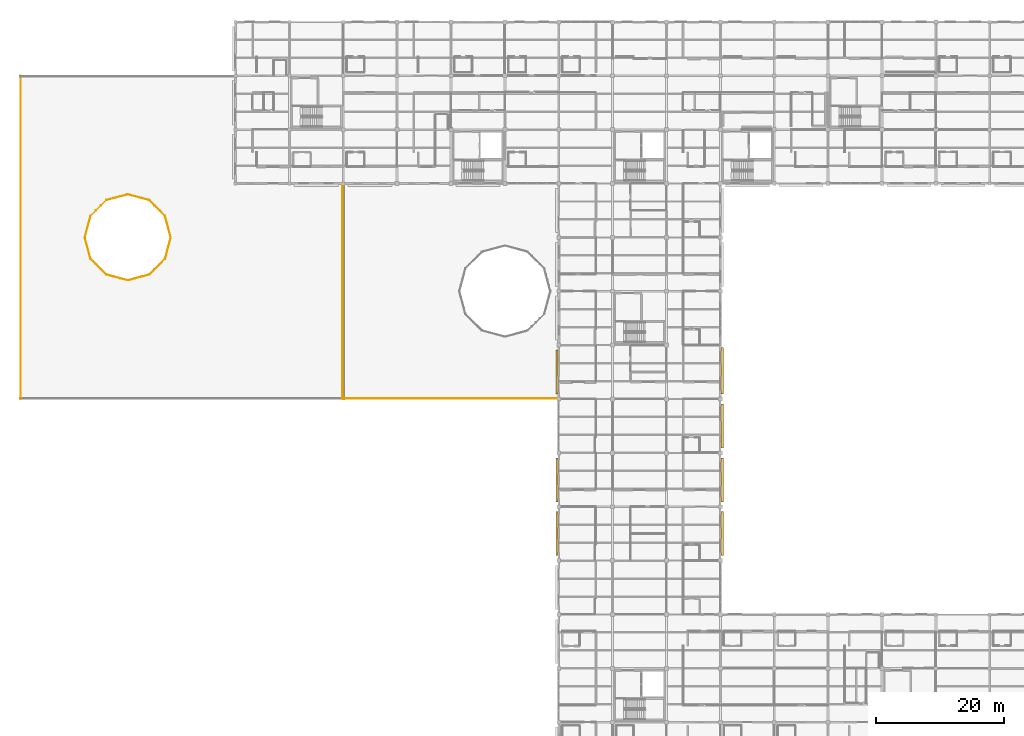
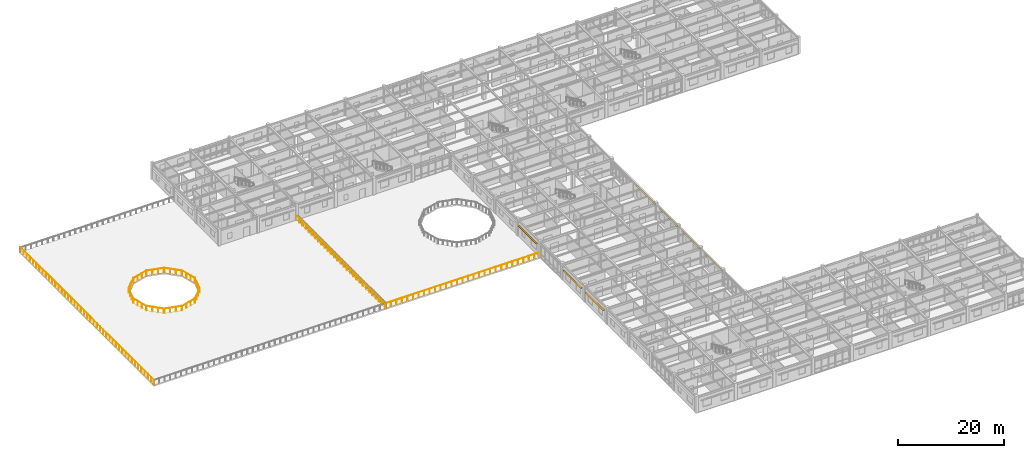
# One storey, part 75 of 86: 15 railings, 7 shading devices.
"""IFC4 building model written with IfcOpenShell, lengths in metres."""

from ifc_helpers import new_model, si_unit, direction, frame, origin, origin_2d, place, context, subcontext, project, spatial, rectangle, circle, extrude, material, material_profile, profile_set, type_object, element, save


model = new_model("IFC4")

# Units and contexts
model_context = context("Model", 3, precision=1e-05, world=origin(), true_north=direction((0.0, 1.0)))
body_context = subcontext(model_context, "Body", "Model", "MODEL_VIEW")
ifc_project = project(units=[si_unit("LENGTHUNIT", "METRE"), si_unit("AREAUNIT", "SQUARE_METRE"), si_unit("VOLUMEUNIT", "CUBIC_METRE"), si_unit("PLANEANGLEUNIT", "RADIAN"), si_unit("MASSUNIT", "GRAM", prefix="KILO")], contexts=[model_context])

# Site, building, storey
site_placement = place(None, origin())
site = spatial("IfcSite", under=ifc_project, at=site_placement, CompositionType="ELEMENT")
building_placement = place(site_placement, origin())
building = spatial("IfcBuilding", under=site, at=building_placement, Name="Bramfleet General Hospital", CompositionType="ELEMENT")
storey_placement = place(building_placement, frame((0.0, 0.0, 18.60009765625)))
storey = spatial("IfcBuildingStorey", under=building, at=storey_placement, Name="L04", CompositionType="ELEMENT", Elevation=18.60009765625)

# Railings
ifc_material_1 = material(Name="Stainless steel 1.4401 safety balustrade", Category="steel")
railing_type = type_object("IfcRailingType", Name="RAIL-EXT-GUARD", PredefinedType="GUARDRAIL", material=ifc_material_1)
railing_1_placement = place(storey_placement, frame((8.5, 58.81005859375, 0.0)))
element("IfcRailing", 1, at=railing_1_placement, inside=storey, type_object=railing_type, Name="L04 Safety Guard Rail 153", PredefinedType="GUARDRAIL", context=body_context, shape_type="SweptSolid", body=[
    extrude(circle(Radius=0.02392578125, at=origin_2d()), frame((0.0, 0.0, 1.076171875), z_axis=(0.0, 1.0, 0.0), x_axis=(-1.0, 0.0, 0.0)), (0.0, 0.0, 1.0), 50.3798828125),
    extrude(circle(Radius=0.02099609375, at=origin_2d()), origin(), (0.0, 0.0, 1.0), 1.052001953125),
    extrude(circle(Radius=0.02099609375, at=origin_2d()), frame((0.0, 1.199462890625, 0.0)), (0.0, 0.0, 1.0), 1.052001953125),
    extrude(circle(Radius=0.02099609375, at=origin_2d()), frame((0.0, 2.39892578125, 0.0)), (0.0, 0.0, 1.0), 1.052001953125),
    extrude(circle(Radius=0.02099609375, at=origin_2d()), frame((0.0, 3.5986328125, 0.0)), (0.0, 0.0, 1.0), 1.052001953125),
    extrude(circle(Radius=0.02099609375, at=origin_2d()), frame((0.0, 4.798095703125, 0.0)), (0.0, 0.0, 1.0), 1.052001953125),
    extrude(circle(Radius=0.02099609375, at=origin_2d()), frame((0.0, 5.99755859375, 0.0)), (0.0, 0.0, 1.0), 1.052001953125),
    extrude(circle(Radius=0.02099609375, at=origin_2d()), frame((0.0, 7.197021484375, 0.0)), (0.0, 0.0, 1.0), 1.052001953125),
    extrude(circle(Radius=0.02099609375, at=origin_2d()), frame((0.0, 8.396728515625, 0.0)), (0.0, 0.0, 1.0), 1.052001953125),
    extrude(circle(Radius=0.02099609375, at=origin_2d()), frame((0.0, 9.59619140625, 0.0)), (0.0, 0.0, 1.0), 1.052001953125),
    extrude(circle(Radius=0.02099609375, at=origin_2d()), frame((0.0, 10.795654296875, 0.0)), (0.0, 0.0, 1.0), 1.052001953125),
    extrude(circle(Radius=0.02099609375, at=origin_2d()), frame((0.0, 11.9951171875, 0.0)), (0.0, 0.0, 1.0), 1.052001953125),
    extrude(circle(Radius=0.02099609375, at=origin_2d()), frame((0.0, 13.19482421875, 0.0)), (0.0, 0.0, 1.0), 1.052001953125),
    extrude(circle(Radius=0.02099609375, at=origin_2d()), frame((0.0, 14.394287109375, 0.0)), (0.0, 0.0, 1.0), 1.052001953125),
    extrude(circle(Radius=0.02099609375, at=origin_2d()), frame((0.0, 15.59375, 0.0)), (0.0, 0.0, 1.0), 1.052001953125),
    extrude(circle(Radius=0.02099609375, at=origin_2d()), frame((0.0, 16.793212890625, 0.0)), (0.0, 0.0, 1.0), 1.052001953125),
    extrude(circle(Radius=0.02099609375, at=origin_2d()), frame((0.0, 17.992919921875, 0.0)), (0.0, 0.0, 1.0), 1.052001953125),
    extrude(circle(Radius=0.02099609375, at=origin_2d()), frame((0.0, 19.1923828125, 0.0)), (0.0, 0.0, 1.0), 1.052001953125),
    extrude(circle(Radius=0.02099609375, at=origin_2d()), frame((0.0, 20.391845703125, 0.0)), (0.0, 0.0, 1.0), 1.052001953125),
    extrude(circle(Radius=0.02099609375, at=origin_2d()), frame((0.0, 21.59130859375, 0.0)), (0.0, 0.0, 1.0), 1.052001953125),
    extrude(circle(Radius=0.02099609375, at=origin_2d()), frame((0.0, 22.791015625, 0.0)), (0.0, 0.0, 1.0), 1.052001953125),
    extrude(circle(Radius=0.02099609375, at=origin_2d()), frame((0.0, 23.990478515625, 0.0)), (0.0, 0.0, 1.0), 1.052001953125),
    extrude(circle(Radius=0.02099609375, at=origin_2d()), frame((0.0, 25.18994140625, 0.0)), (0.0, 0.0, 1.0), 1.052001953125),
    extrude(circle(Radius=0.02099609375, at=origin_2d()), frame((0.0, 26.389404296875, 0.0)), (0.0, 0.0, 1.0), 1.052001953125),
    extrude(circle(Radius=0.02099609375, at=origin_2d()), frame((0.0, 27.5888671875, 0.0)), (0.0, 0.0, 1.0), 1.052001953125),
    extrude(circle(Radius=0.02099609375, at=origin_2d()), frame((0.0, 28.78857421875, 0.0)), (0.0, 0.0, 1.0), 1.052001953125),
    extrude(circle(Radius=0.02099609375, at=origin_2d()), frame((0.0, 29.988037109375, 0.0)), (0.0, 0.0, 1.0), 1.052001953125),
    extrude(circle(Radius=0.02099609375, at=origin_2d()), frame((0.0, 31.1875, 0.0)), (0.0, 0.0, 1.0), 1.052001953125),
    extrude(circle(Radius=0.02099609375, at=origin_2d()), frame((0.0, 32.386962890625, 0.0)), (0.0, 0.0, 1.0), 1.052001953125),
    extrude(circle(Radius=0.02099609375, at=origin_2d()), frame((0.0, 33.586669921875, 0.0)), (0.0, 0.0, 1.0), 1.052001953125),
    extrude(circle(Radius=0.02099609375, at=origin_2d()), frame((0.0, 34.7861328125, 0.0)), (0.0, 0.0, 1.0), 1.052001953125),
    extrude(circle(Radius=0.02099609375, at=origin_2d()), frame((0.0, 35.985595703125, 0.0)), (0.0, 0.0, 1.0), 1.052001953125),
    extrude(circle(Radius=0.02099609375, at=origin_2d()), frame((0.0, 37.18505859375, 0.0)), (0.0, 0.0, 1.0), 1.052001953125),
    extrude(circle(Radius=0.02099609375, at=origin_2d()), frame((0.0, 38.384765625, 0.0)), (0.0, 0.0, 1.0), 1.052001953125),
    extrude(circle(Radius=0.02099609375, at=origin_2d()), frame((0.0, 39.584228515625, 0.0)), (0.0, 0.0, 1.0), 1.052001953125),
    extrude(circle(Radius=0.02099609375, at=origin_2d()), frame((0.0, 40.78369140625, 0.0)), (0.0, 0.0, 1.0), 1.052001953125),
    extrude(circle(Radius=0.02099609375, at=origin_2d()), frame((0.0, 41.983154296875, 0.0)), (0.0, 0.0, 1.0), 1.052001953125),
    extrude(circle(Radius=0.02099609375, at=origin_2d()), frame((0.0, 43.182861328125, 0.0)), (0.0, 0.0, 1.0), 1.052001953125),
    extrude(circle(Radius=0.02099609375, at=origin_2d()), frame((0.0, 44.38232421875, 0.0)), (0.0, 0.0, 1.0), 1.052001953125),
    extrude(circle(Radius=0.02099609375, at=origin_2d()), frame((0.0, 45.581787109375, 0.0)), (0.0, 0.0, 1.0), 1.052001953125),
    extrude(circle(Radius=0.02099609375, at=origin_2d()), frame((0.0, 46.78125, 0.0)), (0.0, 0.0, 1.0), 1.052001953125),
    extrude(circle(Radius=0.02099609375, at=origin_2d()), frame((0.0, 47.98095703125, 0.0)), (0.0, 0.0, 1.0), 1.052001953125),
    extrude(circle(Radius=0.02099609375, at=origin_2d()), frame((0.0, 49.180419921875, 0.0)), (0.0, 0.0, 1.0), 1.052001953125),
    extrude(circle(Radius=0.02099609375, at=origin_2d()), frame((0.0, 50.3798828125, 0.0)), (0.0, 0.0, 1.0), 1.052001953125),
])
railing_2_placement = place(storey_placement, frame((58.699951171875, 92.389892578125, 0.0)))
element("IfcRailing", 2, at=railing_2_placement, inside=storey, type_object=railing_type, Name="L04 Safety Guard Rail 155", PredefinedType="GUARDRAIL", context=body_context, shape_type="SweptSolid", body=[
    extrude(circle(Radius=0.02392578125, at=origin_2d()), frame((0.0, 0.0, 1.076171875), z_axis=(0.0, -1.0, 0.0), x_axis=(1.0, 0.0, 0.0)), (0.0, 0.0, 1.0), 33.579833984375),
    extrude(circle(Radius=0.02099609375, at=origin_2d()), origin(), (0.0, 0.0, 1.0), 1.052001953125),
    extrude(circle(Radius=0.02099609375, at=origin_2d()), frame((0.0, -1.19921875, 0.0)), (0.0, 0.0, 1.0), 1.052001953125),
    extrude(circle(Radius=0.02099609375, at=origin_2d()), frame((0.0, -2.3984375, 0.0)), (0.0, 0.0, 1.0), 1.052001953125),
    extrude(circle(Radius=0.02099609375, at=origin_2d()), frame((0.0, -3.597900390625, 0.0)), (0.0, 0.0, 1.0), 1.052001953125),
    extrude(circle(Radius=0.02099609375, at=origin_2d()), frame((0.0, -4.797119140625, 0.0)), (0.0, 0.0, 1.0), 1.052001953125),
    extrude(circle(Radius=0.02099609375, at=origin_2d()), frame((0.0, -5.996337890625, 0.0)), (0.0, 0.0, 1.0), 1.052001953125),
    extrude(circle(Radius=0.02099609375, at=origin_2d()), frame((0.0, -7.19580078125, 0.0)), (0.0, 0.0, 1.0), 1.052001953125),
    extrude(circle(Radius=0.02099609375, at=origin_2d()), frame((0.0, -8.39501953125, 0.0)), (0.0, 0.0, 1.0), 1.052001953125),
    extrude(circle(Radius=0.02099609375, at=origin_2d()), frame((0.0, -9.59423828125, 0.0)), (0.0, 0.0, 1.0), 1.052001953125),
    extrude(circle(Radius=0.02099609375, at=origin_2d()), frame((0.0, -10.79345703125, 0.0)), (0.0, 0.0, 1.0), 1.052001953125),
    extrude(circle(Radius=0.02099609375, at=origin_2d()), frame((0.0, -11.99267578125, 0.0)), (0.0, 0.0, 1.0), 1.052001953125),
    extrude(circle(Radius=0.02099609375, at=origin_2d()), frame((0.0, -13.192138671875, 0.0)), (0.0, 0.0, 1.0), 1.052001953125),
    extrude(circle(Radius=0.02099609375, at=origin_2d()), frame((0.0, -14.391357421875, 0.0)), (0.0, 0.0, 1.0), 1.052001953125),
    extrude(circle(Radius=0.02099609375, at=origin_2d()), frame((0.0, -15.590576171875, 0.0)), (0.0, 0.0, 1.0), 1.052001953125),
    extrude(circle(Radius=0.02099609375, at=origin_2d()), frame((0.0, -16.7900390625, 0.0)), (0.0, 0.0, 1.0), 1.052001953125),
    extrude(circle(Radius=0.02099609375, at=origin_2d()), frame((0.0, -17.9892578125, 0.0)), (0.0, 0.0, 1.0), 1.052001953125),
    extrude(circle(Radius=0.02099609375, at=origin_2d()), frame((0.0, -19.1884765625, 0.0)), (0.0, 0.0, 1.0), 1.052001953125),
    extrude(circle(Radius=0.02099609375, at=origin_2d()), frame((0.0, -20.3876953125, 0.0)), (0.0, 0.0, 1.0), 1.052001953125),
    extrude(circle(Radius=0.02099609375, at=origin_2d()), frame((0.0, -21.5869140625, 0.0)), (0.0, 0.0, 1.0), 1.052001953125),
    extrude(circle(Radius=0.02099609375, at=origin_2d()), frame((0.0, -22.786376953125, 0.0)), (0.0, 0.0, 1.0), 1.052001953125),
    extrude(circle(Radius=0.02099609375, at=origin_2d()), frame((0.0, -23.985595703125, 0.0)), (0.0, 0.0, 1.0), 1.052001953125),
    extrude(circle(Radius=0.02099609375, at=origin_2d()), frame((0.0, -25.184814453125, 0.0)), (0.0, 0.0, 1.0), 1.052001953125),
    extrude(circle(Radius=0.02099609375, at=origin_2d()), frame((0.0, -26.38427734375, 0.0)), (0.0, 0.0, 1.0), 1.052001953125),
    extrude(circle(Radius=0.02099609375, at=origin_2d()), frame((0.0, -27.58349609375, 0.0)), (0.0, 0.0, 1.0), 1.052001953125),
    extrude(circle(Radius=0.02099609375, at=origin_2d()), frame((0.0, -28.78271484375, 0.0)), (0.0, 0.0, 1.0), 1.052001953125),
    extrude(circle(Radius=0.02099609375, at=origin_2d()), frame((0.0, -29.98193359375, 0.0)), (0.0, 0.0, 1.0), 1.052001953125),
    extrude(circle(Radius=0.02099609375, at=origin_2d()), frame((0.0, -31.18115234375, 0.0)), (0.0, 0.0, 1.0), 1.052001953125),
    extrude(circle(Radius=0.02099609375, at=origin_2d()), frame((0.0, -32.380615234375, 0.0)), (0.0, 0.0, 1.0), 1.052001953125),
    extrude(circle(Radius=0.02099609375, at=origin_2d()), frame((0.0, -33.579833984375, 0.0)), (0.0, 0.0, 1.0), 1.052001953125),
])
railing_3_placement = place(storey_placement, frame((19.420654296875, 80.622314453125, 0.0)))
element("IfcRailing", 3, at=railing_3_placement, inside=storey, type_object=railing_type, Name="L04 Safety Guard Rail 157", PredefinedType="GUARDRAIL", context=body_context, shape_type="SweptSolid", body=[
    extrude(circle(Radius=0.02392578125, at=origin_2d()), frame((0.0, 0.0, 1.076171875), z_axis=(0.707106781187, -0.707106781187, 0.0), x_axis=(0.707106781187, 0.707106781187, 0.0)), (0.0, 0.0, 1.0), 3.396484375),
    extrude(circle(Radius=0.02099609375, at=origin_2d()), origin(), (0.0, 0.0, 1.0), 1.052001953125),
    extrude(circle(Radius=0.02099609375, at=origin_2d()), frame((0.800537109375, -0.800537109375, 0.0)), (0.0, 0.0, 1.0), 1.052001953125),
    extrude(circle(Radius=0.02099609375, at=origin_2d()), frame((1.60107421875, -1.60107421875, 0.0)), (0.0, 0.0, 1.0), 1.052001953125),
    extrude(circle(Radius=0.02099609375, at=origin_2d()), frame((2.401611328125, -2.401611328125, 0.0)), (0.0, 0.0, 1.0), 1.052001953125),
])
railing_4_placement = place(storey_placement, frame((21.8837890625, 78.18505859375, 0.0)))
element("IfcRailing", 4, at=railing_4_placement, inside=storey, type_object=railing_type, Name="L04 Safety Guard Rail 158", PredefinedType="GUARDRAIL", context=body_context, shape_type="SweptSolid", body=[
    extrude(circle(Radius=0.02392578125, at=origin_2d()), frame((0.0, 0.0, 1.076171875), z_axis=(0.965920457522, -0.258839080781, 0.0), x_axis=(0.258839080781, 0.965920457522, 0.0)), (0.0, 0.0, 1.0), 3.396484375),
    extrude(circle(Radius=0.02099609375, at=origin_2d()), origin(), (0.0, 0.0, 1.0), 1.052001953125),
    extrude(circle(Radius=0.02099609375, at=origin_2d()), frame((1.093505859375, -0.29296875, 0.0)), (0.0, 0.0, 1.0), 1.052001953125),
    extrude(circle(Radius=0.02099609375, at=origin_2d()), frame((2.187255859375, -0.586181640625, 0.0)), (0.0, 0.0, 1.0), 1.052001953125),
    extrude(circle(Radius=0.02099609375, at=origin_2d()), frame((3.28076171875, -0.879150390625, 0.0)), (0.0, 0.0, 1.0), 1.052001953125),
])
railing_5_placement = place(storey_placement, frame((25.235595703125, 77.305908203125, 0.0)))
element("IfcRailing", 5, at=railing_5_placement, inside=storey, type_object=railing_type, Name="L04 Safety Guard Rail 159", PredefinedType="GUARDRAIL", context=body_context, shape_type="SweptSolid", body=[
    extrude(circle(Radius=0.02392578125, at=origin_2d()), frame((0.0, 0.0, 1.076171875), z_axis=(0.965915641243, 0.25885705322, 0.0), x_axis=(-0.25885705322, 0.965915641243, 0.0)), (0.0, 0.0, 1.0), 3.396240234375),
    extrude(circle(Radius=0.02099609375, at=origin_2d()), origin(), (0.0, 0.0, 1.0), 1.052001953125),
    extrude(circle(Radius=0.02099609375, at=origin_2d()), frame((1.093505859375, 0.29296875, 0.0)), (0.0, 0.0, 1.0), 1.052001953125),
    extrude(circle(Radius=0.02099609375, at=origin_2d()), frame((2.18701171875, 0.586181640625, 0.0)), (0.0, 0.0, 1.0), 1.052001953125),
    extrude(circle(Radius=0.02099609375, at=origin_2d()), frame((3.280517578125, 0.879150390625, 0.0)), (0.0, 0.0, 1.0), 1.052001953125),
])
railing_6_placement = place(storey_placement, frame((28.577880859375, 78.220703125, 0.0)))
element("IfcRailing", 6, at=railing_6_placement, inside=storey, type_object=railing_type, Name="L04 Safety Guard Rail 160", PredefinedType="GUARDRAIL", context=body_context, shape_type="SweptSolid", body=[
    extrude(circle(Radius=0.02392578125, at=origin_2d()), frame((0.0, 0.0, 1.076171875), z_axis=(0.707106781187, 0.707106781187, 0.0), x_axis=(-0.707106781187, 0.707106781187, 0.0)), (0.0, 0.0, 1.0), 3.396484375),
    extrude(circle(Radius=0.02099609375, at=origin_2d()), origin(), (0.0, 0.0, 1.0), 1.052001953125),
    extrude(circle(Radius=0.02099609375, at=origin_2d()), frame((0.800537109375, 0.800537109375, 0.0)), (0.0, 0.0, 1.0), 1.052001953125),
    extrude(circle(Radius=0.02099609375, at=origin_2d()), frame((1.60107421875, 1.60107421875, 0.0)), (0.0, 0.0, 1.0), 1.052001953125),
    extrude(circle(Radius=0.02099609375, at=origin_2d()), frame((2.401611328125, 2.401611328125, 0.0)), (0.0, 0.0, 1.0), 1.052001953125),
])
railing_7_placement = place(storey_placement, frame((31.014892578125, 80.683837890625, 0.0)))
element("IfcRailing", 7, at=railing_7_placement, inside=storey, type_object=railing_type, Name="L04 Safety Guard Rail 161", PredefinedType="GUARDRAIL", context=body_context, shape_type="SweptSolid", body=[
    extrude(circle(Radius=0.02392578125, at=origin_2d()), frame((0.0, 0.0, 1.076171875), z_axis=(0.258839080781, 0.965920457522, 0.0), x_axis=(-0.965920457522, 0.258839080781, 0.0)), (0.0, 0.0, 1.0), 3.396484375),
    extrude(circle(Radius=0.02099609375, at=origin_2d()), origin(), (0.0, 0.0, 1.0), 1.052001953125),
    extrude(circle(Radius=0.02099609375, at=origin_2d()), frame((0.29296875, 1.093505859375, 0.0)), (0.0, 0.0, 1.0), 1.052001953125),
    extrude(circle(Radius=0.02099609375, at=origin_2d()), frame((0.586181640625, 2.187255859375, 0.0)), (0.0, 0.0, 1.0), 1.052001953125),
    extrude(circle(Radius=0.02099609375, at=origin_2d()), frame((0.879150390625, 3.28076171875, 0.0)), (0.0, 0.0, 1.0), 1.052001953125),
])
railing_8_placement = place(storey_placement, frame((31.89404296875, 84.035400390625, 0.0)))
element("IfcRailing", 8, at=railing_8_placement, inside=storey, type_object=railing_type, Name="L04 Safety Guard Rail 162", PredefinedType="GUARDRAIL", context=body_context, shape_type="SweptSolid", body=[
    extrude(circle(Radius=0.02392578125, at=origin_2d()), frame((0.0, 0.0, 1.076171875), z_axis=(-0.258839080781, 0.965920457522, 0.0), x_axis=(-0.965920457522, -0.258839080781, 0.0)), (0.0, 0.0, 1.0), 3.396484375),
    extrude(circle(Radius=0.02099609375, at=origin_2d()), origin(), (0.0, 0.0, 1.0), 1.052001953125),
    extrude(circle(Radius=0.02099609375, at=origin_2d()), frame((-0.29296875, 1.093505859375, 0.0)), (0.0, 0.0, 1.0), 1.052001953125),
    extrude(circle(Radius=0.02099609375, at=origin_2d()), frame((-0.586181640625, 2.187255859375, 0.0)), (0.0, 0.0, 1.0), 1.052001953125),
    extrude(circle(Radius=0.02099609375, at=origin_2d()), frame((-0.879150390625, 3.28076171875, 0.0)), (0.0, 0.0, 1.0), 1.052001953125),
])
railing_9_placement = place(storey_placement, frame((30.9794921875, 87.377685546875, 0.0)))
element("IfcRailing", 9, at=railing_9_placement, inside=storey, type_object=railing_type, Name="L04 Safety Guard Rail 163", PredefinedType="GUARDRAIL", context=body_context, shape_type="SweptSolid", body=[
    extrude(circle(Radius=0.02392578125, at=origin_2d()), frame((0.0, 0.0, 1.076171875), z_axis=(-0.707106781187, 0.707106781187, 0.0), x_axis=(-0.707106781187, -0.707106781187, 0.0)), (0.0, 0.0, 1.0), 3.396484375),
    extrude(circle(Radius=0.02099609375, at=origin_2d()), origin(), (0.0, 0.0, 1.0), 1.052001953125),
    extrude(circle(Radius=0.02099609375, at=origin_2d()), frame((-0.800537109375, 0.800537109375, 0.0)), (0.0, 0.0, 1.0), 1.052001953125),
    extrude(circle(Radius=0.02099609375, at=origin_2d()), frame((-1.60107421875, 1.60107421875, 0.0)), (0.0, 0.0, 1.0), 1.052001953125),
    extrude(circle(Radius=0.02099609375, at=origin_2d()), frame((-2.401611328125, 2.401611328125, 0.0)), (0.0, 0.0, 1.0), 1.052001953125),
])
railing_10_placement = place(storey_placement, frame((28.51611328125, 89.81494140625, 0.0)))
element("IfcRailing", 10, at=railing_10_placement, inside=storey, type_object=railing_type, Name="L04 Safety Guard Rail 164", PredefinedType="GUARDRAIL", context=body_context, shape_type="SweptSolid", body=[
    extrude(circle(Radius=0.02392578125, at=origin_2d()), frame((0.0, 0.0, 1.076171875), z_axis=(-0.965915641243, 0.25885705322, 0.0), x_axis=(-0.25885705322, -0.965915641243, 0.0)), (0.0, 0.0, 1.0), 3.396240234375),
    extrude(circle(Radius=0.02099609375, at=origin_2d()), origin(), (0.0, 0.0, 1.0), 1.052001953125),
    extrude(circle(Radius=0.02099609375, at=origin_2d()), frame((-1.093505859375, 0.29296875, 0.0)), (0.0, 0.0, 1.0), 1.052001953125),
    extrude(circle(Radius=0.02099609375, at=origin_2d()), frame((-2.18701171875, 0.586181640625, 0.0)), (0.0, 0.0, 1.0), 1.052001953125),
    extrude(circle(Radius=0.02099609375, at=origin_2d()), frame((-3.280517578125, 0.879150390625, 0.0)), (0.0, 0.0, 1.0), 1.052001953125),
])
railing_11_placement = place(storey_placement, frame((25.16455078125, 90.694091796875, 0.0)))
element("IfcRailing", 11, at=railing_11_placement, inside=storey, type_object=railing_type, Name="L04 Safety Guard Rail 165", PredefinedType="GUARDRAIL", context=body_context, shape_type="SweptSolid", body=[
    extrude(circle(Radius=0.02392578125, at=origin_2d()), frame((0.0, 0.0, 1.076171875), z_axis=(-0.965920457522, -0.258839080781, 0.0), x_axis=(0.258839080781, -0.965920457522, 0.0)), (0.0, 0.0, 1.0), 3.396484375),
    extrude(circle(Radius=0.02099609375, at=origin_2d()), origin(), (0.0, 0.0, 1.0), 1.052001953125),
    extrude(circle(Radius=0.02099609375, at=origin_2d()), frame((-1.093505859375, -0.29296875, 0.0)), (0.0, 0.0, 1.0), 1.052001953125),
    extrude(circle(Radius=0.02099609375, at=origin_2d()), frame((-2.187255859375, -0.586181640625, 0.0)), (0.0, 0.0, 1.0), 1.052001953125),
    extrude(circle(Radius=0.02099609375, at=origin_2d()), frame((-3.28076171875, -0.879150390625, 0.0)), (0.0, 0.0, 1.0), 1.052001953125),
])
railing_12_placement = place(storey_placement, frame((21.822265625, 89.779296875, 0.0)))
element("IfcRailing", 12, at=railing_12_placement, inside=storey, type_object=railing_type, Name="L04 Safety Guard Rail 166", PredefinedType="GUARDRAIL", context=body_context, shape_type="SweptSolid", body=[
    extrude(circle(Radius=0.02392578125, at=origin_2d()), frame((0.0, 0.0, 1.076171875), z_axis=(-0.707106781187, -0.707106781187, 0.0), x_axis=(0.707106781187, -0.707106781187, 0.0)), (0.0, 0.0, 1.0), 3.396484375),
    extrude(circle(Radius=0.02099609375, at=origin_2d()), origin(), (0.0, 0.0, 1.0), 1.052001953125),
    extrude(circle(Radius=0.02099609375, at=origin_2d()), frame((-0.800537109375, -0.800537109375, 0.0)), (0.0, 0.0, 1.0), 1.052001953125),
    extrude(circle(Radius=0.02099609375, at=origin_2d()), frame((-1.60107421875, -1.60107421875, 0.0)), (0.0, 0.0, 1.0), 1.052001953125),
    extrude(circle(Radius=0.02099609375, at=origin_2d()), frame((-2.401611328125, -2.401611328125, 0.0)), (0.0, 0.0, 1.0), 1.052001953125),
])
railing_13_placement = place(storey_placement, frame((19.385009765625, 87.316162109375, 0.0)))
element("IfcRailing", 13, at=railing_13_placement, inside=storey, type_object=railing_type, Name="L04 Safety Guard Rail 167", PredefinedType="GUARDRAIL", context=body_context, shape_type="SweptSolid", body=[
    extrude(circle(Radius=0.02392578125, at=origin_2d()), frame((0.0, 0.0, 1.076171875), z_axis=(-0.258772014909, -0.965938426764, 0.0), x_axis=(0.965938426764, -0.258772014909, 0.0)), (0.0, 0.0, 1.0), 3.396484375),
    extrude(circle(Radius=0.02099609375, at=origin_2d()), origin(), (0.0, 0.0, 1.0), 1.052001953125),
    extrude(circle(Radius=0.02099609375, at=origin_2d()), frame((-0.29296875, -1.093505859375, 0.0)), (0.0, 0.0, 1.0), 1.052001953125),
    extrude(circle(Radius=0.02099609375, at=origin_2d()), frame((-0.5859375, -2.187255859375, 0.0)), (0.0, 0.0, 1.0), 1.052001953125),
    extrude(circle(Radius=0.02099609375, at=origin_2d()), frame((-0.87890625, -3.28076171875, 0.0)), (0.0, 0.0, 1.0), 1.052001953125),
])
railing_14_placement = place(storey_placement, frame((18.506103515625, 83.964599609375, 0.0)))
element("IfcRailing", 14, at=railing_14_placement, inside=storey, type_object=railing_type, Name="L04 Safety Guard Rail 168", PredefinedType="GUARDRAIL", context=body_context, shape_type="SweptSolid", body=[
    extrude(circle(Radius=0.02392578125, at=origin_2d()), frame((0.0, 0.0, 1.076171875), z_axis=(0.258772014909, -0.965938426764, 0.0), x_axis=(0.965938426764, 0.258772014909, 0.0)), (0.0, 0.0, 1.0), 3.396484375),
    extrude(circle(Radius=0.02099609375, at=origin_2d()), origin(), (0.0, 0.0, 1.0), 1.052001953125),
    extrude(circle(Radius=0.02099609375, at=origin_2d()), frame((0.29296875, -1.093505859375, 0.0)), (0.0, 0.0, 1.0), 1.052001953125),
    extrude(circle(Radius=0.02099609375, at=origin_2d()), frame((0.5859375, -2.187255859375, 0.0)), (0.0, 0.0, 1.0), 1.052001953125),
    extrude(circle(Radius=0.02099609375, at=origin_2d()), frame((0.87890625, -3.28076171875, 0.0)), (0.0, 0.0, 1.0), 1.052001953125),
])
railing_15_placement = place(storey_placement, frame((92.389892578125, 58.89990234375, 0.0)))
element("IfcRailing", 15, at=railing_15_placement, inside=storey, type_object=railing_type, Name="L04 Safety Guard Rail 170", PredefinedType="GUARDRAIL", context=body_context, shape_type="SweptSolid", body=[
    extrude(circle(Radius=0.02392578125, at=origin_2d()), frame((0.0, 0.0, 1.076171875), z_axis=(-1.0, 0.0, 0.0), x_axis=(0.0, -1.0, 0.0)), (0.0, 0.0, 1.0), 33.579833984375),
    extrude(circle(Radius=0.02099609375, at=origin_2d()), origin(), (0.0, 0.0, 1.0), 1.052001953125),
    extrude(circle(Radius=0.02099609375, at=origin_2d()), frame((-1.19921875, 0.0, 0.0)), (0.0, 0.0, 1.0), 1.052001953125),
    extrude(circle(Radius=0.02099609375, at=origin_2d()), frame((-2.3984375, 0.0, 0.0)), (0.0, 0.0, 1.0), 1.052001953125),
    extrude(circle(Radius=0.02099609375, at=origin_2d()), frame((-3.597900390625, 0.0, 0.0)), (0.0, 0.0, 1.0), 1.052001953125),
    extrude(circle(Radius=0.02099609375, at=origin_2d()), frame((-4.797119140625, 0.0, 0.0)), (0.0, 0.0, 1.0), 1.052001953125),
    extrude(circle(Radius=0.02099609375, at=origin_2d()), frame((-5.996337890625, 0.0, 0.0)), (0.0, 0.0, 1.0), 1.052001953125),
    extrude(circle(Radius=0.02099609375, at=origin_2d()), frame((-7.19580078125, 0.0, 0.0)), (0.0, 0.0, 1.0), 1.052001953125),
    extrude(circle(Radius=0.02099609375, at=origin_2d()), frame((-8.39501953125, 0.0, 0.0)), (0.0, 0.0, 1.0), 1.052001953125),
    extrude(circle(Radius=0.02099609375, at=origin_2d()), frame((-9.59423828125, 0.0, 0.0)), (0.0, 0.0, 1.0), 1.052001953125),
    extrude(circle(Radius=0.02099609375, at=origin_2d()), frame((-10.79345703125, 0.0, 0.0)), (0.0, 0.0, 1.0), 1.052001953125),
    extrude(circle(Radius=0.02099609375, at=origin_2d()), frame((-11.99267578125, 0.0, 0.0)), (0.0, 0.0, 1.0), 1.052001953125),
    extrude(circle(Radius=0.02099609375, at=origin_2d()), frame((-13.192138671875, 0.0, 0.0)), (0.0, 0.0, 1.0), 1.052001953125),
    extrude(circle(Radius=0.02099609375, at=origin_2d()), frame((-14.391357421875, 0.0, 0.0)), (0.0, 0.0, 1.0), 1.052001953125),
    extrude(circle(Radius=0.02099609375, at=origin_2d()), frame((-15.590576171875, 0.0, 0.0)), (0.0, 0.0, 1.0), 1.052001953125),
    extrude(circle(Radius=0.02099609375, at=origin_2d()), frame((-16.7900390625, 0.0, 0.0)), (0.0, 0.0, 1.0), 1.052001953125),
    extrude(circle(Radius=0.02099609375, at=origin_2d()), frame((-17.9892578125, 0.0, 0.0)), (0.0, 0.0, 1.0), 1.052001953125),
    extrude(circle(Radius=0.02099609375, at=origin_2d()), frame((-19.1884765625, 0.0, 0.0)), (0.0, 0.0, 1.0), 1.052001953125),
    extrude(circle(Radius=0.02099609375, at=origin_2d()), frame((-20.3876953125, 0.0, 0.0)), (0.0, 0.0, 1.0), 1.052001953125),
    extrude(circle(Radius=0.02099609375, at=origin_2d()), frame((-21.5869140625, 0.0, 0.0)), (0.0, 0.0, 1.0), 1.052001953125),
    extrude(circle(Radius=0.02099609375, at=origin_2d()), frame((-22.786376953125, 0.0, 0.0)), (0.0, 0.0, 1.0), 1.052001953125),
    extrude(circle(Radius=0.02099609375, at=origin_2d()), frame((-23.985595703125, 0.0, 0.0)), (0.0, 0.0, 1.0), 1.052001953125),
    extrude(circle(Radius=0.02099609375, at=origin_2d()), frame((-25.184814453125, 0.0, 0.0)), (0.0, 0.0, 1.0), 1.052001953125),
    extrude(circle(Radius=0.02099609375, at=origin_2d()), frame((-26.38427734375, 0.0, 0.0)), (0.0, 0.0, 1.0), 1.052001953125),
    extrude(circle(Radius=0.02099609375, at=origin_2d()), frame((-27.58349609375, 0.0, 0.0)), (0.0, 0.0, 1.0), 1.052001953125),
    extrude(circle(Radius=0.02099609375, at=origin_2d()), frame((-28.78271484375, 0.0, 0.0)), (0.0, 0.0, 1.0), 1.052001953125),
    extrude(circle(Radius=0.02099609375, at=origin_2d()), frame((-29.98193359375, 0.0, 0.0)), (0.0, 0.0, 1.0), 1.052001953125),
    extrude(circle(Radius=0.02099609375, at=origin_2d()), frame((-31.18115234375, 0.0, 0.0)), (0.0, 0.0, 1.0), 1.052001953125),
    extrude(circle(Radius=0.02099609375, at=origin_2d()), frame((-32.380615234375, 0.0, 0.0)), (0.0, 0.0, 1.0), 1.052001953125),
    extrude(circle(Radius=0.02099609375, at=origin_2d()), frame((-33.579833984375, 0.0, 0.0)), (0.0, 0.0, 1.0), 1.052001953125),
])

# Shading devices
ifc_material_2 = material(Name="Anodised aluminium EN AW-6063", Category="aluminium")
ifc_material_profile = material_profile(ifc_material_2, rectangle(XDim=0.050048828125, YDim=0.35009765625, at=origin_2d()), Name="ALU LOUVRE 350x50")
ifc_profile_set = profile_set([ifc_material_profile], Name="Anodised aluminium EN AW-6063")
shading_device_type = type_object("IfcShadingDeviceType", Name="SHD-LVR-350", PredefinedType="USERDEFINED", material=ifc_profile_set)
shading_device_1_placement = place(storey_placement, frame((117.89990234375, 66.800048828125, 2.669921875), z_axis=(0.0, -1.0, 0.0), x_axis=(0.0, 0.0, 1.0)))
element("IfcShadingDevice", 16, at=shading_device_1_placement, inside=storey, type_object=shading_device_type, Name="L04 Solar Shading Louvre 16", ObjectType="Louvre", PredefinedType="USERDEFINED", context=body_context, shape_type="SweptSolid", body=[
    extrude(rectangle(XDim=0.050048828125, YDim=0.35009765625, at=origin_2d()), origin(), (0.0, 0.0, 1.0), 7.22509765625),
])
shading_device_2_placement = place(storey_placement, frame((117.892578125, 58.02490234375, 2.669921875), z_axis=(0.0, -1.0, 0.0), x_axis=(0.0, 0.0, 1.0)))
element("IfcShadingDevice", 17, at=shading_device_2_placement, inside=storey, type_object=shading_device_type, Name="L04 Solar Shading Louvre 17", ObjectType="Louvre", PredefinedType="USERDEFINED", context=body_context, shape_type="SweptSolid", body=[
    extrude(rectangle(XDim=0.050048828125, YDim=0.35009765625, at=origin_2d()), origin(), (0.0, 0.0, 1.0), 6.849853515625),
])
for number, where, z_axis, x_axis, name in (
    (18, (117.885009765625, 49.625, 2.669921875), (0.0, -1.0, 0.0), (0.0, 0.0, 1.0), "L04 Solar Shading Louvre 18"),
    (19, (117.87744140625, 41.22509765625, 2.669921875), (0.0, -1.0, 0.0), (0.0, 0.0, 1.0), "L04 Solar Shading Louvre 19"),
    (20, (92.107421875, 34.375, 2.669921875), (0.0, 1.0, 0.0), (0.0, 0.0, 1.0), "L04 Solar Shading Louvre 33"),
    (21, (92.114990234375, 42.77490234375, 2.669921875), (0.0, 1.0, 0.0), (0.0, 0.0, 1.0), "L04 Solar Shading Louvre 34"),
    (22, (92.12255859375, 59.574951171875, 2.669921875), (0.0, 1.0, 0.0), (0.0, 0.0, 1.0), "L04 Solar Shading Louvre 35"),
):
    element("IfcShadingDevice", number, at=place(storey_placement, frame(where, z_axis=z_axis, x_axis=x_axis)), inside=storey, type_object=shading_device_type, Name=name, ObjectType="Louvre", PredefinedType="USERDEFINED", context=body_context, shape_type="SweptSolid", body=[
        extrude(rectangle(XDim=0.050048828125, YDim=0.35009765625, at=origin_2d()), origin(), (0.0, 0.0, 1.0), 6.85009765625),
    ])

save(model, "model.ifc")
